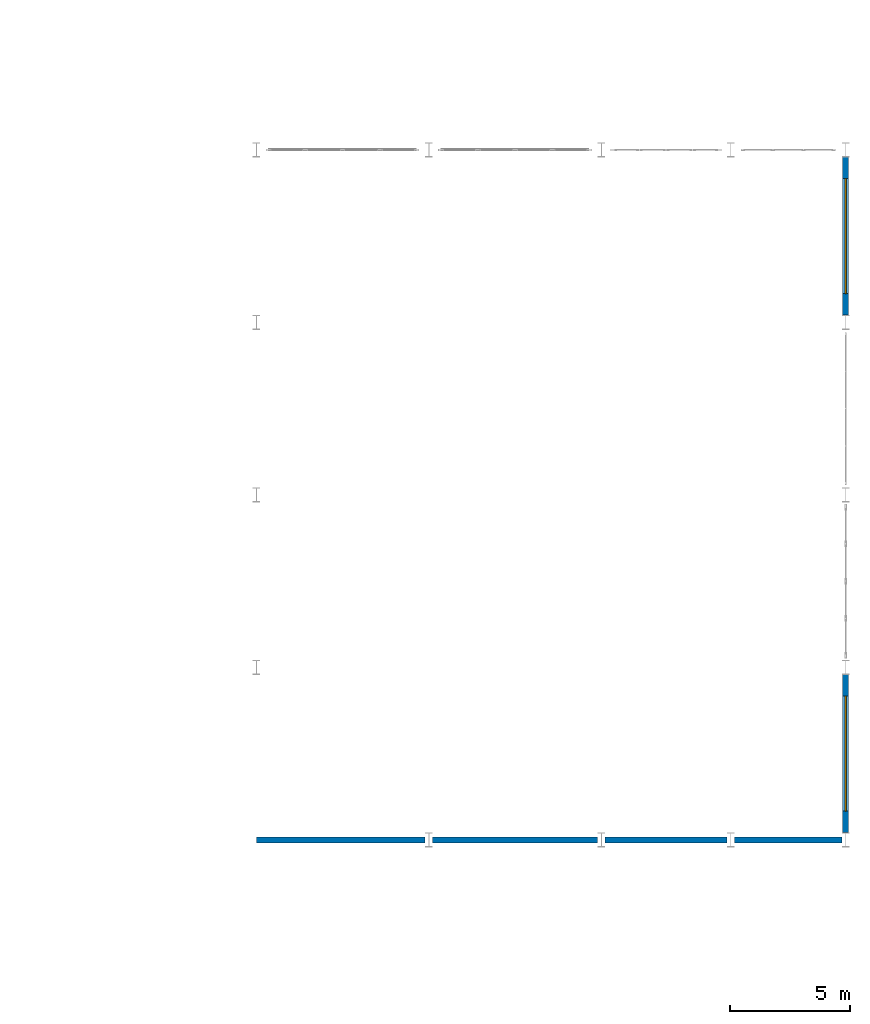
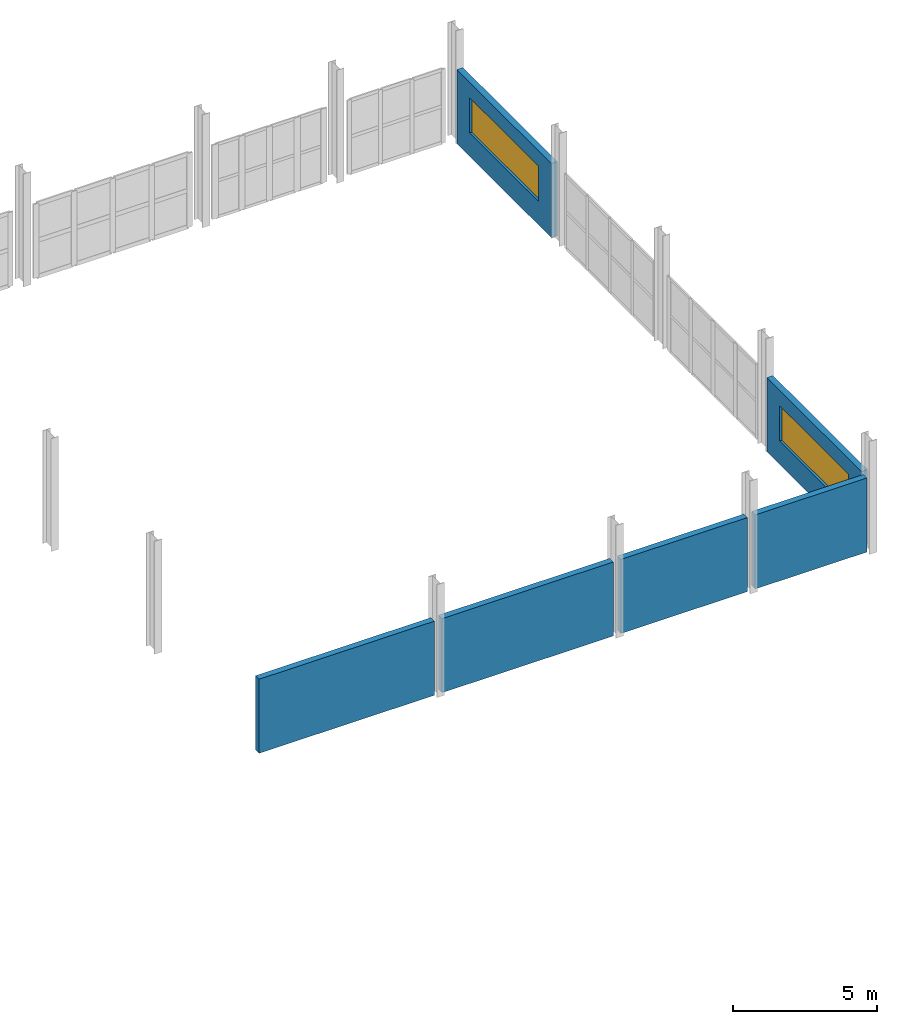
# One storey, part 37 of 41: 6 walls, 2 windows, 2 openings.
"""IFC4 building model written with IfcOpenShell, lengths in metres."""

import ifcopenshell
import ifcopenshell.guid

model = None  # the IFC model being written
_history = None  # IfcOwnerHistory: only IFC2X3 demands one
_inside = {}  # id of a spatial element -> (the spatial element, [elements in it])
_under = {}  # id of a project, library or spatial element -> (it, [spatial elements below it])
_declared = {}  # id of a project -> (the project, [libraries it declares])
_typed = {}  # id of a type object -> (the type object, [elements of that type])
_made_of = {}  # id of a material, layer set ... -> (it, [elements and type objects made of it])


def new_model(schema):
    """Start an empty IFC model of exactly this schema.

    Asked for "IFC4X3", IfcOpenShell would pick the latest addendum, in which some entities
    have other attributes; the version numbers below select the first issue.
    IFC2X3 requires an IfcOwnerHistory on every rooted entity: one is made here for all.
    """
    global model, _history
    if schema == "IFC4X3":
        model = ifcopenshell.file(schema_version=(4, 3, 0, 0))
    else:
        model = ifcopenshell.file(schema=schema)
    _inside.clear()
    _under.clear()
    _declared.clear()
    _typed.clear()
    _made_of.clear()
    _history = None
    if model.schema == "IFC2X3":
        org = make("IfcOrganization", Name="unknown")
        user = make(
            "IfcPersonAndOrganization",
            ThePerson=make("IfcPerson", FamilyName="unknown"),
            TheOrganization=org,
        )
        app = make(
            "IfcApplication",
            ApplicationDeveloper=org,
            Version="unknown",
            ApplicationFullName="unknown",
            ApplicationIdentifier="unknown",
        )
        _history = make(
            "IfcOwnerHistory",
            OwningUser=user,
            OwningApplication=app,
            ChangeAction="ADDED",
            CreationDate=0,
        )
    return model


def make(cls, **values):
    """One entity of the class cls with the attributes given. An attribute that is None is left unset."""
    return model.create_entity(
        cls, **{name: value for name, value in values.items() if value is not None}
    )


def rooted(cls, **values):
    """An entity with a GlobalId (a new one), such as an element, a storey or a relation."""
    return make(cls, GlobalId=ifcopenshell.guid.new(), OwnerHistory=_history, **values)


def si_unit(unit_type, name, prefix=None):
    """IfcSIUnit, for example si_unit("LENGTHUNIT", "METRE", prefix="MILLI")."""
    return make("IfcSIUnit", UnitType=unit_type, Prefix=prefix, Name=name)


def assignment(units):
    """IfcUnitAssignment: the units of a project."""
    return None if units is None else make("IfcUnitAssignment", Units=units)


def point(xyz):
    """IfcCartesianPoint."""
    return None if xyz is None else make("IfcCartesianPoint", Coordinates=xyz)


def direction(xyz):
    """IfcDirection."""
    return None if xyz is None else make("IfcDirection", DirectionRatios=xyz)


def frame(location, z_axis=None, x_axis=None):
    """IfcAxis2Placement3D, a coordinate frame: its origin and axes. An axis left out is left unset."""
    return make(
        "IfcAxis2Placement3D",
        Location=point(location),
        Axis=direction(z_axis),
        RefDirection=direction(x_axis),
    )


def frame_2d(location, x_axis=None):
    """IfcAxis2Placement2D, a coordinate frame in the plane: its origin and x axis."""
    return make(
        "IfcAxis2Placement2D", Location=point(location), RefDirection=direction(x_axis)
    )


def origin():
    """The frame at (0, 0, 0) with its axes left unset."""
    return frame((0.0, 0.0, 0.0))


def place(relative_to, where):
    """IfcLocalPlacement: puts the frame where relative to a parent placement (None: the world)."""
    return make(
        "IfcLocalPlacement", PlacementRelTo=relative_to, RelativePlacement=where
    )


def context(
    kind, dimensions, precision=None, world=None, true_north=None, identifier=None
):
    """IfcGeometricRepresentationContext, for example the 3D "Model" context."""
    return make(
        "IfcGeometricRepresentationContext",
        ContextIdentifier=identifier,
        ContextType=kind,
        CoordinateSpaceDimension=dimensions,
        Precision=precision,
        WorldCoordinateSystem=world,
        TrueNorth=true_north,
    )


def subcontext(parent, identifier, kind, view, scale=None):
    """IfcGeometricRepresentationSubContext, for example "Body" below "Model"."""
    return make(
        "IfcGeometricRepresentationSubContext",
        ContextIdentifier=identifier,
        ContextType=kind,
        ParentContext=parent,
        TargetScale=scale,
        TargetView=view,
    )


def project(units=None, contexts=None):
    """IfcProject with its units and contexts."""
    return rooted(
        "IfcProject",
        Name="project",
        RepresentationContexts=contexts,
        UnitsInContext=assignment(units),
    )


def spatial(cls, under=None, at=None, **own):
    """A site, building, storey or space (cls), placed at a placement, below another one or the project."""
    s = rooted(cls, ObjectPlacement=at, **own)
    if under is not None:
        _under.setdefault(under.id(), (under, []))[1].append(s)
    return s


def profile(cls, at=None, kind="AREA", **sizes):
    """A parametric profile (cls). Its sizes go by their IFC names, for example OverallWidth=200.0."""
    return make(cls, ProfileType=kind, Position=at, **sizes)


def rectangle(**sizes):
    """IfcRectangleProfileDef."""
    return profile("IfcRectangleProfileDef", **sizes)


def extrude(swept, where, along, depth):
    """IfcExtrudedAreaSolid: the profile swept, set in the frame where, extruded along a direction by depth."""
    return make(
        "IfcExtrudedAreaSolid",
        SweptArea=swept,
        Position=where,
        ExtrudedDirection=direction(along),
        Depth=depth,
    )


def shape(context_of_items, identifier, shape_type, items):
    """IfcShapeRepresentation: the items that make up one representation, for example the "Body"."""
    return make(
        "IfcShapeRepresentation",
        ContextOfItems=context_of_items,
        RepresentationIdentifier=identifier,
        RepresentationType=shape_type,
        Items=items,
    )


def material(Name=None, Category=None):
    """IfcMaterial."""
    return make("IfcMaterial", Name=Name, Category=Category)


def layer(
    of_material, thickness, ventilated=None, Name=None, Category=None, Priority=None
):
    """IfcMaterialLayer: one layer of a wall or slab, of a material (None: an air gap)."""
    return make(
        "IfcMaterialLayer",
        Material=of_material,
        LayerThickness=thickness,
        IsVentilated=ventilated,
        Name=Name,
        Category=Category,
        Priority=Priority,
    )


def layer_set(layers, Name=None):
    """IfcMaterialLayerSet."""
    return make("IfcMaterialLayerSet", MaterialLayers=layers, LayerSetName=Name)


def made_of(thing, what):
    """Note that an element or type object is made of a material, layer set ...; save() writes the relation."""
    if what is not None:
        _made_of.setdefault(what.id(), (what, []))[1].append(thing)
    return thing


def type_object(cls, material=None, **own):
    """A type object (cls), such as IfcWallType, which elements share."""
    return made_of(rooted(cls, **own), material)


def element(
    cls,
    number,
    at=None,
    inside=None,
    cuts=None,
    type_object=None,
    material=None,
    context=None,
    identifier="Body",
    shape_type=None,
    held_by="IfcProductDefinitionShape",
    body=None,
    shapes=None,
    **own,
):
    """One element of the class cls, such as IfcWall. Its Tag is "e" and its number.

    at: its placement. inside: the storey or other place that contains it. cuts: it is an
    opening in that element (IfcRelVoidsElement). A single representation is given by context,
    identifier, shape_type and body (its items); several are given by shapes. held_by: the class
    of the entity that holds the representations. save() writes the other relations.
    """
    e = rooted(cls, Tag="e%d" % number, ObjectPlacement=at, **own)
    if body is not None:
        shapes = [shape(context, identifier, shape_type, body)]
    if shapes is not None:
        e.Representation = make(held_by, Representations=shapes)
    if inside is not None:
        _inside.setdefault(inside.id(), (inside, []))[1].append(e)
    if cuts is not None:
        rooted(
            "IfcRelVoidsElement", RelatingBuildingElement=cuts, RelatedOpeningElement=e
        )
    if type_object is not None:
        _typed.setdefault(type_object.id(), (type_object, []))[1].append(e)
    return made_of(e, material)


def fill(opening, filler):
    """IfcRelFillsElement: the door or window that sits in an opening."""
    return rooted(
        "IfcRelFillsElement",
        RelatingOpeningElement=opening,
        RelatedBuildingElement=filler,
    )


def aggregate(whole, parts):
    """IfcRelAggregates: a whole, such as a stair, and the parts it consists of."""
    return rooted("IfcRelAggregates", RelatingObject=whole, RelatedObjects=parts)


def save(model, path):
    """Write the relations noted so far, then the file.

    IfcRelAggregates (storeys below a building ...), IfcRelContainedInSpatialStructure (elements
    in a storey), IfcRelDefinesByType, IfcRelAssociatesMaterial and IfcRelDeclares: one each for
    every whole, place, type object, material and project.
    """
    for whole, parts in _under.values():
        aggregate(whole, parts)
    for where, things in _inside.values():
        rooted(
            "IfcRelContainedInSpatialStructure",
            RelatedElements=things,
            RelatingStructure=where,
        )
    for kind, things in _typed.values():
        rooted("IfcRelDefinesByType", RelatedObjects=things, RelatingType=kind)
    for what, things in _made_of.values():
        rooted("IfcRelAssociatesMaterial", RelatedObjects=things, RelatingMaterial=what)
    for by, libraries in _declared.values():
        rooted("IfcRelDeclares", RelatingContext=by, RelatedDefinitions=libraries)
    model.write(path)


model = new_model("IFC4")

# Units and contexts
model_context = context("Model", 3, precision=1e-05, world=origin(), true_north=direction((0.0, 1.0)))
body_context = subcontext(model_context, "Body", "Model", "MODEL_VIEW")
ifc_project = project(units=[si_unit("LENGTHUNIT", "METRE"), si_unit("AREAUNIT", "SQUARE_METRE"), si_unit("VOLUMEUNIT", "CUBIC_METRE"), si_unit("PLANEANGLEUNIT", "RADIAN"), si_unit("MASSUNIT", "GRAM", prefix="KILO")], contexts=[model_context])

# Site, building, storey
site_placement = place(None, origin())
site = spatial("IfcSite", under=ifc_project, at=site_placement, CompositionType="ELEMENT")
building_placement = place(site_placement, origin())
building = spatial("IfcBuilding", under=site, at=building_placement, Name="Solvadek Multi-Sports Hall", CompositionType="ELEMENT")
storey_placement = place(building_placement, frame((0.0, 0.0, 14.39990234375)))
storey = spatial("IfcBuildingStorey", under=building, at=storey_placement, Name="L03", CompositionType="ELEMENT", Elevation=14.39990234375)

# Walls
ifc_material_1 = material(Name="Dressed honey-cream limestone ashlar", Category="masonry")
ifc_layer = layer(ifc_material_1, 0.25, Name="Dressed honey-cream limestone ashlar")
ifc_layer_set = layer_set([ifc_layer], Name="Dressed honey-cream limestone ashlar")
wall_type = type_object("IfcWallType", Name="ENV-WAL-EXT250", PredefinedType="SOLIDWALL", material=ifc_layer_set)
wall_1_placement = place(storey_placement, frame((136.800048828125, 42.0, 0.0), z_axis=(0.0, 0.0, 1.0), x_axis=(1.0, 0.0, 0.0)))
element("IfcWall", 1, at=wall_1_placement, inside=storey, type_object=wall_type, Name="L03 Exterior Masonry Wall #263", PredefinedType="SOLIDWALL", context=body_context, shape_type="SweptSolid", body=[
    extrude(rectangle(XDim=7.0458984375, YDim=0.25, at=frame_2d((3.52294921875, 0.0))), origin(), (0.0, 0.0, 1.0), 3.150146484375),
])
wall_2_placement = place(storey_placement, frame((144.154052734375, 42.0, 0.0), z_axis=(0.0, 0.0, 1.0), x_axis=(1.0, 0.0, 0.0)))
element("IfcWall", 2, at=wall_2_placement, inside=storey, type_object=wall_type, Name="L03 Exterior Masonry Wall #267", PredefinedType="SOLIDWALL", context=body_context, shape_type="SweptSolid", body=[
    extrude(rectangle(XDim=6.891845703125, YDim=0.25, at=frame_2d((3.44580078125, 0.0))), origin(), (0.0, 0.0, 1.0), 3.150146484375),
])
wall_3_placement = place(storey_placement, frame((151.35400390625, 42.0, 0.0), z_axis=(0.0, 0.0, 1.0), x_axis=(1.0, 0.0, 0.0)))
element("IfcWall", 3, at=wall_3_placement, inside=storey, type_object=wall_type, Name="L03 Exterior Masonry Wall #272", PredefinedType="SOLIDWALL", context=body_context, shape_type="SweptSolid", body=[
    extrude(rectangle(XDim=5.092041015625, YDim=0.25, at=frame_2d((2.5458984375, 0.0))), origin(), (0.0, 0.0, 1.0), 3.150146484375),
])
wall_4_placement = place(storey_placement, frame((156.75390625, 42.0, 0.0), z_axis=(0.0, 0.0, 1.0), x_axis=(1.0, 0.0, 0.0)))
element("IfcWall", 4, at=wall_4_placement, inside=storey, type_object=wall_type, Name="L03 Exterior Masonry Wall #276", PredefinedType="SOLIDWALL", context=body_context, shape_type="SweptSolid", body=[
    extrude(rectangle(XDim=4.4921875, YDim=0.25, at=frame_2d((2.24609375, 0.0))), origin(), (0.0, 0.0, 1.0), 3.150146484375),
])

# Wall, opening, window
wall_5_placement = place(storey_placement, frame((161.39990234375, 42.303955078125, 0.0), z_axis=(0.0, 0.0, 1.0), x_axis=(0.0, 1.0, 0.0)))
wall_5 = element("IfcWall", 5, at=wall_5_placement, inside=storey, type_object=wall_type, Name="L03 Exterior Masonry Wall #280", PredefinedType="SOLIDWALL", context=body_context, shape_type="SweptSolid", body=[
    extrude(rectangle(XDim=6.592041015625, YDim=0.25, at=frame_2d((3.2958984375, 0.0))), origin(), (0.0, 0.0, 1.0), 3.150146484375),
])
opening_1_placement = place(wall_5_placement, frame((0.89599609375, 0.0, 1.0)))
opening_1 = element("IfcOpeningElement", 6, at=opening_1_placement, cuts=wall_5, Name="Opening WN-23", PredefinedType="OPENING", context=body_context, shape_type="SweptSolid", body=[
    extrude(rectangle(XDim=4.800048828125, YDim=1.5, at=frame_2d((2.39990234375, 0.75))), frame((0.0, 0.135009765625, 0.0), z_axis=(0.0, -1.0, 0.0), x_axis=(1.0, 0.0, 0.0)), (0.0, 0.0, 1.0), 0.27001953125),
])
ifc_material_2 = material(Name="Tempered laminated low-E glass", Category="glass")
window_type = type_object("IfcWindowType", Name="ENV-WIN-WN-23", PartitioningType="SINGLE_PANEL", PredefinedType="WINDOW", material=ifc_material_2)
window_1_placement = place(opening_1_placement, origin())
window_1 = element("IfcWindow", 7, at=window_1_placement, inside=storey, type_object=window_type, Name="L03 Facade Window WN-23 #121", OverallHeight=1.5, OverallWidth=4.800048828125, PartitioningType="SINGLE_PANEL", PredefinedType="WINDOW", context=body_context, shape_type="SweptSolid", body=[
    extrude(rectangle(XDim=4.800048828125, YDim=1.5, at=frame_2d((2.39990234375, 0.75))), frame((0.0, 0.030029296875, 0.0), z_axis=(0.0, -1.0, 0.0), x_axis=(1.0, 0.0, 0.0)), (0.0, 0.0, 1.0), 0.06005859375),
])
fill(opening_1, window_1)

wall_6_placement = place(storey_placement, frame((161.39990234375, 63.904052734375, 0.0), z_axis=(0.0, 0.0, 1.0), x_axis=(0.0, 1.0, 0.0)))
wall_6 = element("IfcWall", 8, at=wall_6_placement, inside=storey, type_object=wall_type, Name="L03 Exterior Masonry Wall #284", PredefinedType="SOLIDWALL", context=body_context, shape_type="SweptSolid", body=[
    extrude(rectangle(XDim=6.592041015625, YDim=0.25, at=frame_2d((3.2958984375, 0.0))), origin(), (0.0, 0.0, 1.0), 3.150146484375),
])
opening_2_placement = place(wall_6_placement, frame((0.89599609375, 0.0, 1.0)))
opening_2 = element("IfcOpeningElement", 9, at=opening_2_placement, cuts=wall_6, Name="Opening WN-23", PredefinedType="OPENING", context=body_context, shape_type="SweptSolid", body=[
    extrude(rectangle(XDim=4.800048828125, YDim=1.5, at=frame_2d((2.39990234375, 0.75))), frame((0.0, 0.135009765625, 0.0), z_axis=(0.0, -1.0, 0.0), x_axis=(1.0, 0.0, 0.0)), (0.0, 0.0, 1.0), 0.27001953125),
])
window_2_placement = place(opening_2_placement, origin())
window_2 = element("IfcWindow", 10, at=window_2_placement, inside=storey, type_object=window_type, Name="L03 Facade Window WN-23 #125", OverallHeight=1.5, OverallWidth=4.800048828125, PartitioningType="SINGLE_PANEL", PredefinedType="WINDOW", context=body_context, shape_type="SweptSolid", body=[
    extrude(rectangle(XDim=4.800048828125, YDim=1.5, at=frame_2d((2.39990234375, 0.75))), frame((0.0, 0.030029296875, 0.0), z_axis=(0.0, -1.0, 0.0), x_axis=(1.0, 0.0, 0.0)), (0.0, 0.0, 1.0), 0.06005859375),
])
fill(opening_2, window_2)

save(model, "model.ifc")
